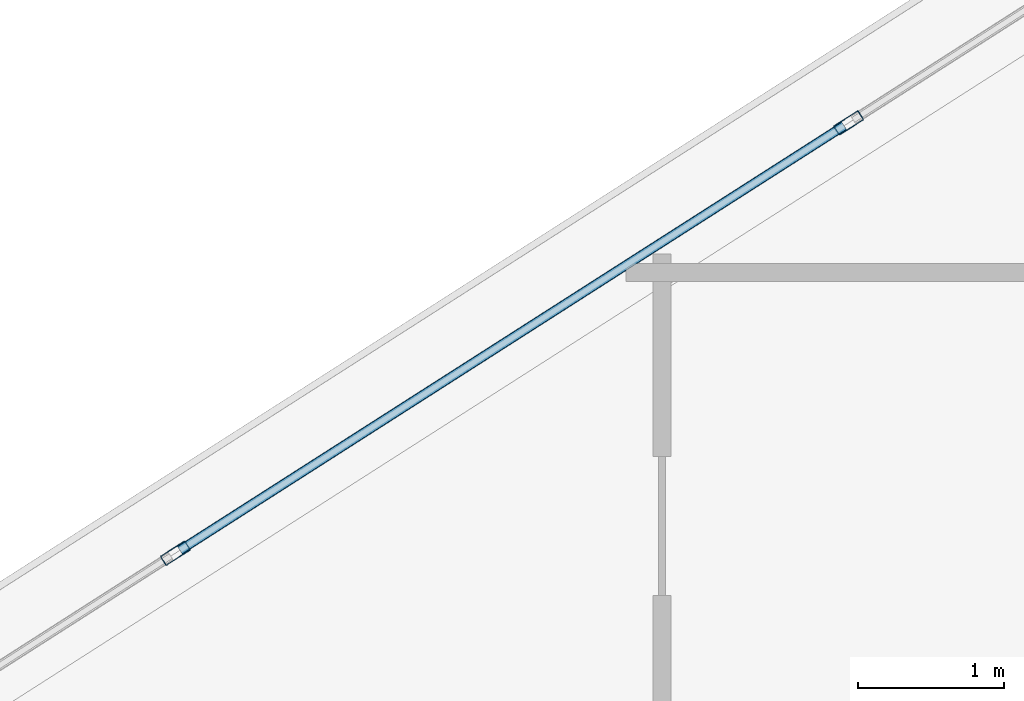
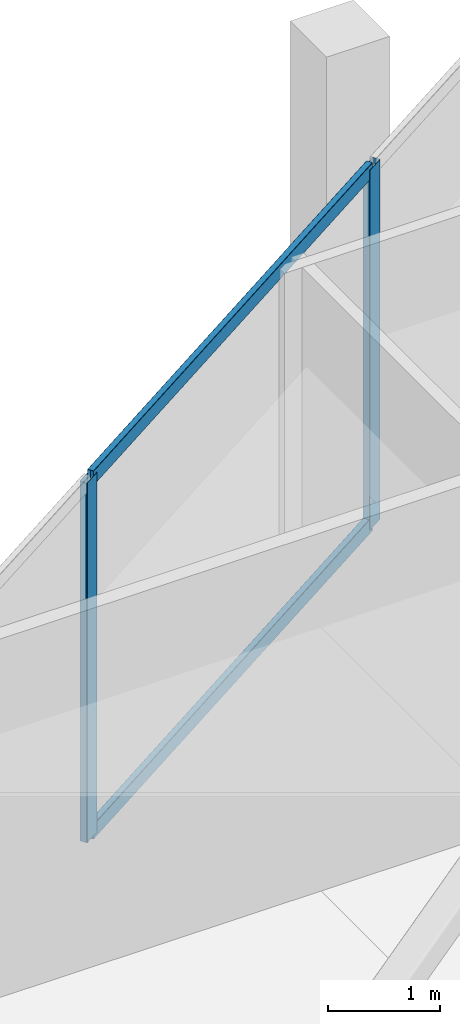
# One storey, part 13 of 30: 4 members, 1 element without a shape of its own.
"""IFC4 building model written with IfcOpenShell, lengths in metres."""

from ifc_helpers import new_model, si_unit, direction, frame, origin, origin_2d, place, context, subcontext, project, spatial, hollow_rectangle, extrude, material, layer, layer_set, material_profile, profile_set, type_object, element, aggregate, save


model = new_model("IFC4")

# Units and contexts
model_context = context("Model", 3, precision=1e-05, world=origin(), true_north=direction((0.0, 1.0)))
body_context = subcontext(model_context, "Body", "Model", "MODEL_VIEW")
ifc_project = project(units=[si_unit("LENGTHUNIT", "METRE"), si_unit("AREAUNIT", "SQUARE_METRE"), si_unit("VOLUMEUNIT", "CUBIC_METRE"), si_unit("PLANEANGLEUNIT", "RADIAN"), si_unit("MASSUNIT", "GRAM", prefix="KILO")], contexts=[model_context])

# Site, building, storey
site_placement = place(None, origin())
site = spatial("IfcSite", under=ifc_project, at=site_placement, CompositionType="ELEMENT")
building_placement = place(site_placement, origin())
building = spatial("IfcBuilding", under=site, at=building_placement, Name="Qorvath Tower", CompositionType="ELEMENT")
storey_placement = place(building_placement, frame((0.0, 0.0, 289.199951171875)))
storey = spatial("IfcBuildingStorey", under=building, at=storey_placement, Name="L67", CompositionType="ELEMENT", Elevation=289.199951171875)

# Curtain wall, members
ifc_material_1 = material(Name="Anodised aluminium and triple low-E glass", Category="aluminium")
ifc_layer = layer(ifc_material_1, 0.179931640625)
ifc_layer_set = layer_set([ifc_layer], Name="CW-SYS-5")
curtain_wall_type = type_object("IfcCurtainWallType", Name="CW-SYS-5", PredefinedType="NOTDEFINED", material=ifc_layer_set)
curtain_wall_placement = place(storey_placement, origin())
curtain_wall = element("IfcCurtainWall", 1, at=curtain_wall_placement, inside=storey, type_object=curtain_wall_type, Name="Curtain Wall CW-5 CW-T-L67-16.1", PredefinedType="NOTDEFINED")
ifc_material_2 = material(Name="Anodised aluminium 6063-T6", Category="aluminium")
ifc_material_profile_1 = material_profile(ifc_material_2, hollow_rectangle(XDim=0.074951171875, YDim=0.199951171875, WallThickness=0.00390625, InnerFilletRadius=0.00390625, OuterFilletRadius=0.008056640625, at=origin_2d()), Name="CWM 200x75")
ifc_profile_set_1 = profile_set([ifc_material_profile_1], Name="Anodised aluminium 6063-T6")
member_type_1 = type_object("IfcMemberType", Name="CWM-200", PredefinedType="MULLION", material=ifc_profile_set_1)
member_1_placement = place(storey_placement, frame((-36.580322265625, 11.782470703125, 0.0), z_axis=(0.0, 0.0, 1.0), x_axis=(0.538536873294, -0.842601944042, 0.0)))
member_1 = element("IfcMember", 2, at=member_1_placement, type_object=member_type_1, Name="CW-5 mullion 5", PredefinedType="MULLION", context=body_context, shape_type="SweptSolid", body=[
    extrude(hollow_rectangle(XDim=0.074951171875, YDim=0.199951171875, WallThickness=0.00390625, InnerFilletRadius=0.00390625, OuterFilletRadius=0.008056640625, at=origin_2d()), origin(), (0.0, 0.0, 1.0), 3.91015625),
])
member_2_placement = place(storey_placement, frame((-41.18896484375, 8.8369140625, 0.0), z_axis=(0.0, 0.0, 1.0), x_axis=(0.538536873294, -0.842601944042, 0.0)))
member_2 = element("IfcMember", 3, at=member_2_placement, type_object=member_type_1, Name="CW-5 mullion 6", PredefinedType="MULLION", context=body_context, shape_type="SweptSolid", body=[
    extrude(hollow_rectangle(XDim=0.074951171875, YDim=0.199951171875, WallThickness=0.00390625, InnerFilletRadius=0.00390625, OuterFilletRadius=0.008056640625, at=origin_2d()), origin(), (0.0, 0.0, 1.0), 3.91015625),
])
ifc_material_3 = material(Name="Anodised aluminium 6063-T6", Category="aluminium")
ifc_material_profile_2 = material_profile(ifc_material_3, hollow_rectangle(XDim=0.06494140625, YDim=0.159912109375, WallThickness=0.00341796875, InnerFilletRadius=0.00341796875, OuterFilletRadius=0.007080078125, at=origin_2d()), Name="CWT 160x65")
ifc_profile_set_2 = profile_set([ifc_material_profile_2], Name="Anodised aluminium 6063-T6")
member_type_2 = type_object("IfcMemberType", Name="CWT-160", PredefinedType="USERDEFINED", material=ifc_profile_set_2)
member_3_placement = place(storey_placement, frame((-36.61181640625, 11.762451171875, 0.032470703125), z_axis=(-0.842603282272, -0.538534779475, 0.0), x_axis=(0.538534779475, -0.842603282272, 0.0)))
member_3 = element("IfcMember", 4, at=member_3_placement, type_object=member_type_2, Name="CW-5 transom 5.1", ObjectType="TRANSOM", PredefinedType="USERDEFINED", context=body_context, shape_type="SweptSolid", body=[
    extrude(hollow_rectangle(XDim=0.06494140625, YDim=0.159912109375, WallThickness=0.00341796875, InnerFilletRadius=0.00341796875, OuterFilletRadius=0.007080078125, at=origin_2d()), origin(), (0.0, 0.0, 1.0), 5.394775390625),
])
member_4_placement = place(storey_placement, frame((-36.61181640625, 11.762451171875, 3.877685546875), z_axis=(-0.842603282272, -0.538534779475, 0.0), x_axis=(0.538534779475, -0.842603282272, 0.0)))
member_4 = element("IfcMember", 5, at=member_4_placement, type_object=member_type_2, Name="CW-5 transom 5.2", ObjectType="TRANSOM", PredefinedType="USERDEFINED", context=body_context, shape_type="SweptSolid", body=[
    extrude(hollow_rectangle(XDim=0.06494140625, YDim=0.159912109375, WallThickness=0.00341796875, InnerFilletRadius=0.00341796875, OuterFilletRadius=0.007080078125, at=origin_2d()), origin(), (0.0, 0.0, 1.0), 5.394775390625),
])
aggregate(curtain_wall, [member_1, member_2, member_3, member_4])

save(model, "model.ifc")
